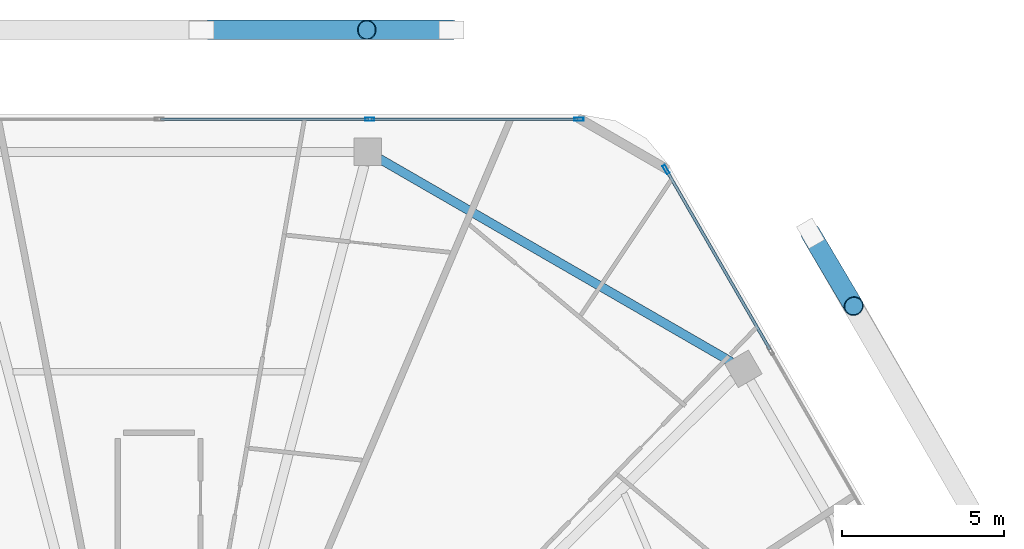
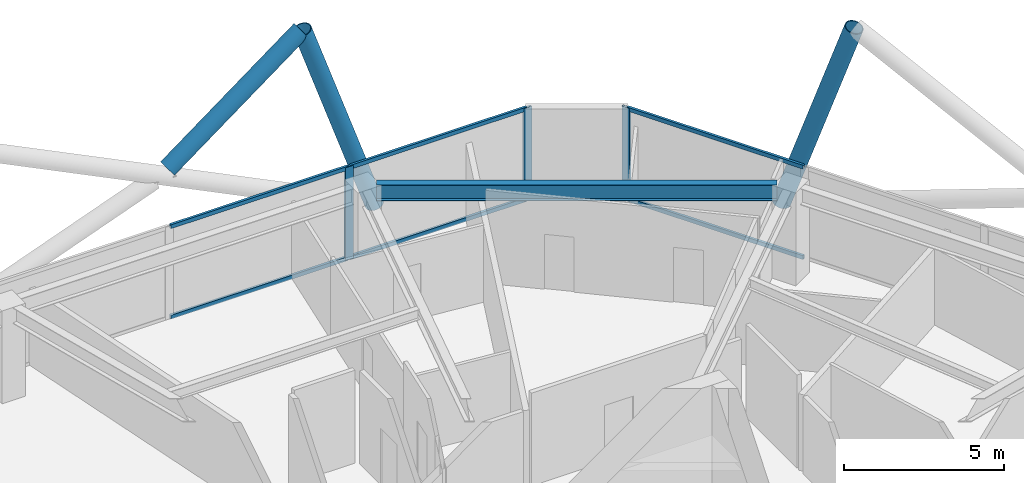
# One storey, part 18 of 29: 12 members, 1 beam, 2 elements without a shape of their own.
"""IFC4 building model written with IfcOpenShell, lengths in metres."""

import ifcopenshell
import ifcopenshell.guid

model = None  # the IFC model being written
_history = None  # IfcOwnerHistory: only IFC2X3 demands one
_inside = {}  # id of a spatial element -> (the spatial element, [elements in it])
_under = {}  # id of a project, library or spatial element -> (it, [spatial elements below it])
_declared = {}  # id of a project -> (the project, [libraries it declares])
_typed = {}  # id of a type object -> (the type object, [elements of that type])
_made_of = {}  # id of a material, layer set ... -> (it, [elements and type objects made of it])


def new_model(schema):
    """Start an empty IFC model of exactly this schema.

    Asked for "IFC4X3", IfcOpenShell would pick the latest addendum, in which some entities
    have other attributes; the version numbers below select the first issue.
    IFC2X3 requires an IfcOwnerHistory on every rooted entity: one is made here for all.
    """
    global model, _history
    if schema == "IFC4X3":
        model = ifcopenshell.file(schema_version=(4, 3, 0, 0))
    else:
        model = ifcopenshell.file(schema=schema)
    _inside.clear()
    _under.clear()
    _declared.clear()
    _typed.clear()
    _made_of.clear()
    _history = None
    if model.schema == "IFC2X3":
        org = make("IfcOrganization", Name="unknown")
        user = make(
            "IfcPersonAndOrganization",
            ThePerson=make("IfcPerson", FamilyName="unknown"),
            TheOrganization=org,
        )
        app = make(
            "IfcApplication",
            ApplicationDeveloper=org,
            Version="unknown",
            ApplicationFullName="unknown",
            ApplicationIdentifier="unknown",
        )
        _history = make(
            "IfcOwnerHistory",
            OwningUser=user,
            OwningApplication=app,
            ChangeAction="ADDED",
            CreationDate=0,
        )
    return model


def make(cls, **values):
    """One entity of the class cls with the attributes given. An attribute that is None is left unset."""
    return model.create_entity(
        cls, **{name: value for name, value in values.items() if value is not None}
    )


def rooted(cls, **values):
    """An entity with a GlobalId (a new one), such as an element, a storey or a relation."""
    return make(cls, GlobalId=ifcopenshell.guid.new(), OwnerHistory=_history, **values)


def si_unit(unit_type, name, prefix=None):
    """IfcSIUnit, for example si_unit("LENGTHUNIT", "METRE", prefix="MILLI")."""
    return make("IfcSIUnit", UnitType=unit_type, Prefix=prefix, Name=name)


def assignment(units):
    """IfcUnitAssignment: the units of a project."""
    return None if units is None else make("IfcUnitAssignment", Units=units)


def point(xyz):
    """IfcCartesianPoint."""
    return None if xyz is None else make("IfcCartesianPoint", Coordinates=xyz)


def direction(xyz):
    """IfcDirection."""
    return None if xyz is None else make("IfcDirection", DirectionRatios=xyz)


def frame(location, z_axis=None, x_axis=None):
    """IfcAxis2Placement3D, a coordinate frame: its origin and axes. An axis left out is left unset."""
    return make(
        "IfcAxis2Placement3D",
        Location=point(location),
        Axis=direction(z_axis),
        RefDirection=direction(x_axis),
    )


def frame_2d(location, x_axis=None):
    """IfcAxis2Placement2D, a coordinate frame in the plane: its origin and x axis."""
    return make(
        "IfcAxis2Placement2D", Location=point(location), RefDirection=direction(x_axis)
    )


def origin():
    """The frame at (0, 0, 0) with its axes left unset."""
    return frame((0.0, 0.0, 0.0))


def origin_2d():
    """The frame at (0, 0) in the plane with its x axis left unset."""
    return frame_2d((0.0, 0.0))


def place(relative_to, where):
    """IfcLocalPlacement: puts the frame where relative to a parent placement (None: the world)."""
    return make(
        "IfcLocalPlacement", PlacementRelTo=relative_to, RelativePlacement=where
    )


def context(
    kind, dimensions, precision=None, world=None, true_north=None, identifier=None
):
    """IfcGeometricRepresentationContext, for example the 3D "Model" context."""
    return make(
        "IfcGeometricRepresentationContext",
        ContextIdentifier=identifier,
        ContextType=kind,
        CoordinateSpaceDimension=dimensions,
        Precision=precision,
        WorldCoordinateSystem=world,
        TrueNorth=true_north,
    )


def subcontext(parent, identifier, kind, view, scale=None):
    """IfcGeometricRepresentationSubContext, for example "Body" below "Model"."""
    return make(
        "IfcGeometricRepresentationSubContext",
        ContextIdentifier=identifier,
        ContextType=kind,
        ParentContext=parent,
        TargetScale=scale,
        TargetView=view,
    )


def project(units=None, contexts=None):
    """IfcProject with its units and contexts."""
    return rooted(
        "IfcProject",
        Name="project",
        RepresentationContexts=contexts,
        UnitsInContext=assignment(units),
    )


def spatial(cls, under=None, at=None, **own):
    """A site, building, storey or space (cls), placed at a placement, below another one or the project."""
    s = rooted(cls, ObjectPlacement=at, **own)
    if under is not None:
        _under.setdefault(under.id(), (under, []))[1].append(s)
    return s


def profile(cls, at=None, kind="AREA", **sizes):
    """A parametric profile (cls). Its sizes go by their IFC names, for example OverallWidth=200.0."""
    return make(cls, ProfileType=kind, Position=at, **sizes)


def hollow_rectangle(**sizes):
    """IfcRectangleHollowProfileDef."""
    return profile("IfcRectangleHollowProfileDef", **sizes)


def hollow_circle(**sizes):
    """IfcCircleHollowProfileDef."""
    return profile("IfcCircleHollowProfileDef", **sizes)


def i_section(**sizes):
    """IfcIShapeProfileDef."""
    return profile("IfcIShapeProfileDef", **sizes)


def extrude(swept, where, along, depth):
    """IfcExtrudedAreaSolid: the profile swept, set in the frame where, extruded along a direction by depth."""
    return make(
        "IfcExtrudedAreaSolid",
        SweptArea=swept,
        Position=where,
        ExtrudedDirection=direction(along),
        Depth=depth,
    )


def shape(context_of_items, identifier, shape_type, items):
    """IfcShapeRepresentation: the items that make up one representation, for example the "Body"."""
    return make(
        "IfcShapeRepresentation",
        ContextOfItems=context_of_items,
        RepresentationIdentifier=identifier,
        RepresentationType=shape_type,
        Items=items,
    )


def material(Name=None, Category=None):
    """IfcMaterial."""
    return make("IfcMaterial", Name=Name, Category=Category)


def material_profile(
    of_material, cross_section, Name=None, Category=None, Priority=None
):
    """IfcMaterialProfile: a cross section and its material."""
    return make(
        "IfcMaterialProfile",
        Name=Name,
        Material=of_material,
        Profile=cross_section,
        Priority=Priority,
        Category=Category,
    )


def profile_set(profiles, Name=None, composite=None):
    """IfcMaterialProfileSet."""
    return make(
        "IfcMaterialProfileSet",
        Name=Name,
        MaterialProfiles=profiles,
        CompositeProfile=composite,
    )


def made_of(thing, what):
    """Note that an element or type object is made of a material, layer set ...; save() writes the relation."""
    if what is not None:
        _made_of.setdefault(what.id(), (what, []))[1].append(thing)
    return thing


def type_object(cls, material=None, **own):
    """A type object (cls), such as IfcWallType, which elements share."""
    return made_of(rooted(cls, **own), material)


def element(
    cls,
    number,
    at=None,
    inside=None,
    cuts=None,
    type_object=None,
    material=None,
    context=None,
    identifier="Body",
    shape_type=None,
    held_by="IfcProductDefinitionShape",
    body=None,
    shapes=None,
    **own,
):
    """One element of the class cls, such as IfcWall. Its Tag is "e" and its number.

    at: its placement. inside: the storey or other place that contains it. cuts: it is an
    opening in that element (IfcRelVoidsElement). A single representation is given by context,
    identifier, shape_type and body (its items); several are given by shapes. held_by: the class
    of the entity that holds the representations. save() writes the other relations.
    """
    e = rooted(cls, Tag="e%d" % number, ObjectPlacement=at, **own)
    if body is not None:
        shapes = [shape(context, identifier, shape_type, body)]
    if shapes is not None:
        e.Representation = make(held_by, Representations=shapes)
    if inside is not None:
        _inside.setdefault(inside.id(), (inside, []))[1].append(e)
    if cuts is not None:
        rooted(
            "IfcRelVoidsElement", RelatingBuildingElement=cuts, RelatedOpeningElement=e
        )
    if type_object is not None:
        _typed.setdefault(type_object.id(), (type_object, []))[1].append(e)
    return made_of(e, material)


def aggregate(whole, parts):
    """IfcRelAggregates: a whole, such as a stair, and the parts it consists of."""
    return rooted("IfcRelAggregates", RelatingObject=whole, RelatedObjects=parts)


def save(model, path):
    """Write the relations noted so far, then the file.

    IfcRelAggregates (storeys below a building ...), IfcRelContainedInSpatialStructure (elements
    in a storey), IfcRelDefinesByType, IfcRelAssociatesMaterial and IfcRelDeclares: one each for
    every whole, place, type object, material and project.
    """
    for whole, parts in _under.values():
        aggregate(whole, parts)
    for where, things in _inside.values():
        rooted(
            "IfcRelContainedInSpatialStructure",
            RelatedElements=things,
            RelatingStructure=where,
        )
    for kind, things in _typed.values():
        rooted("IfcRelDefinesByType", RelatedObjects=things, RelatingType=kind)
    for what, things in _made_of.values():
        rooted("IfcRelAssociatesMaterial", RelatedObjects=things, RelatingMaterial=what)
    for by, libraries in _declared.values():
        rooted("IfcRelDeclares", RelatingContext=by, RelatedDefinitions=libraries)
    model.write(path)


model = new_model("IFC4")

# Units and contexts
model_context = context("Model", 3, precision=1e-05, world=origin(), true_north=direction((0.0, 1.0)))
body_context = subcontext(model_context, "Body", "Model", "MODEL_VIEW")
ifc_project = project(units=[si_unit("LENGTHUNIT", "METRE"), si_unit("AREAUNIT", "SQUARE_METRE"), si_unit("VOLUMEUNIT", "CUBIC_METRE"), si_unit("PLANEANGLEUNIT", "RADIAN"), si_unit("MASSUNIT", "GRAM", prefix="KILO")], contexts=[model_context])

# Site, building, storey
site_placement = place(None, origin())
site = spatial("IfcSite", under=ifc_project, at=site_placement, CompositionType="ELEMENT")
building_placement = place(site_placement, origin())
building = spatial("IfcBuilding", under=site, at=building_placement, Name="Zuhravey Tower", CompositionType="ELEMENT")
storey_placement = place(building_placement, frame((0.0, 0.0, 292.0)))
storey = spatial("IfcBuildingStorey", under=building, at=storey_placement, Name="L74", CompositionType="ELEMENT", Elevation=292.0)

# Curtain wall, members
ifc_material_1 = material(Name="Thermally broken anodised aluminium", Category="aluminium")
curtain_wall_type = type_object("IfcCurtainWallType", Name="Zone 3-4 High-Rise Curtain Wall CW4", PredefinedType="NOTDEFINED", material=ifc_material_1)
curtain_wall_1_placement = place(storey_placement, origin())
curtain_wall_1 = element("IfcCurtainWall", 1, at=curtain_wall_1_placement, inside=storey, type_object=curtain_wall_type, Name="L74 CW4 CW-L74-F2-1", PredefinedType="NOTDEFINED")
ifc_material_2 = material(Name="Anodised aluminium", Category="aluminium")
ifc_material_profile_1 = material_profile(ifc_material_2, hollow_rectangle(XDim=0.090087890625, YDim=0.284912109375, WallThickness=0.0048828125, at=origin_2d()), Name="ALU-RHS-90x285x5")
ifc_profile_set_1 = profile_set([ifc_material_profile_1], Name="Anodised aluminium")
member_type_1 = type_object("IfcMemberType", Name="Curtain-Wall Mullion 90x180", PredefinedType="MULLION", material=ifc_profile_set_1)
member_1_placement = place(storey_placement, frame((42.50634765625, 57.563720703125, 0.0), z_axis=(0.0, 0.0, 1.0), x_axis=(0.0, 1.0, 0.0)))
member_1 = element("IfcMember", 2, at=member_1_placement, type_object=member_type_1, Name="CW4 mullion 4", PredefinedType="MULLION", context=body_context, shape_type="SweptSolid", body=[
    extrude(hollow_rectangle(XDim=0.090087890625, YDim=0.284912109375, WallThickness=0.0048828125, at=origin_2d()), origin(), (0.0, 0.0, 1.0), 3.550048828125),
])
member_2_placement = place(storey_placement, frame((48.9677734375, 57.563720703125, 0.0), z_axis=(0.0, 0.0, 1.0), x_axis=(0.0, 1.0, 0.0)))
member_2 = element("IfcMember", 3, at=member_2_placement, type_object=member_type_1, Name="CW4 mullion 5", PredefinedType="MULLION", context=body_context, shape_type="SweptSolid", body=[
    extrude(hollow_rectangle(XDim=0.090087890625, YDim=0.284912109375, WallThickness=0.0048828125, at=origin_2d()), origin(), (0.0, 0.0, 1.0), 3.550048828125),
])

# Curtain wall, member
curtain_wall_2_placement = place(storey_placement, origin())
curtain_wall_2 = element("IfcCurtainWall", 4, at=curtain_wall_2_placement, inside=storey, type_object=curtain_wall_type, Name="L74 CW4 CW-L74-F1-1", PredefinedType="NOTDEFINED")
member_3_placement = place(storey_placement, frame((51.65478515625, 56.01220703125, 0.0), z_axis=(0.0, 0.0, 1.0), x_axis=(0.866024851021, 0.500000957414, 0.0)))
member_3 = element("IfcMember", 5, at=member_3_placement, type_object=member_type_1, Name="CW4 mullion 1", PredefinedType="MULLION", context=body_context, shape_type="SweptSolid", body=[
    extrude(hollow_rectangle(XDim=0.090087890625, YDim=0.284912109375, WallThickness=0.0048828125, at=origin_2d()), origin(), (0.0, 0.0, 1.0), 3.550048828125),
])

# Member
ifc_material_profile_2 = material_profile(ifc_material_2, hollow_rectangle(XDim=0.090087890625, YDim=0.14990234375, WallThickness=0.0048828125, at=origin_2d()), Name="ALU-RHS-90x150x5")
ifc_profile_set_2 = profile_set([ifc_material_profile_2], Name="Anodised aluminium")
member_type_2 = type_object("IfcMemberType", Name="Curtain-Wall Transom 90x150", PredefinedType="USERDEFINED", material=ifc_profile_set_2)
member_4_placement = place(storey_placement, frame((36.044921875, 57.563720703125, 0.044921875), z_axis=(1.0, 0.0, 0.0), x_axis=(0.0, 1.0, 0.0)))
member_4 = element("IfcMember", 6, at=member_4_placement, type_object=member_type_2, Name="CW4 transom 3.1", ObjectType="TRANSOM", PredefinedType="USERDEFINED", context=body_context, shape_type="SweptSolid", body=[
    extrude(hollow_rectangle(XDim=0.090087890625, YDim=0.14990234375, WallThickness=0.0048828125, at=origin_2d()), origin(), (0.0, 0.0, 1.0), 6.41650390625),
])

member_5_placement = place(storey_placement, frame((36.044921875, 57.563720703125, 3.5048828125), z_axis=(1.0, 0.0, 0.0), x_axis=(0.0, 1.0, 0.0)))
member_5 = element("IfcMember", 7, at=member_5_placement, type_object=member_type_2, Name="CW4 transom 3.2", ObjectType="TRANSOM", PredefinedType="USERDEFINED", context=body_context, shape_type="SweptSolid", body=[
    extrude(hollow_rectangle(XDim=0.090087890625, YDim=0.14990234375, WallThickness=0.0048828125, at=origin_2d()), origin(), (0.0, 0.0, 1.0), 6.41650390625),
])

member_6_placement = place(storey_placement, frame((42.55126953125, 57.563720703125, 0.044921875), z_axis=(1.0, 0.0, 0.0), x_axis=(0.0, 1.0, 0.0)))
member_6 = element("IfcMember", 8, at=member_6_placement, type_object=member_type_2, Name="CW4 transom 4.1", ObjectType="TRANSOM", PredefinedType="USERDEFINED", context=body_context, shape_type="SweptSolid", body=[
    extrude(hollow_rectangle(XDim=0.090087890625, YDim=0.14990234375, WallThickness=0.0048828125, at=origin_2d()), origin(), (0.0, 0.0, 1.0), 6.371337890625),
])

member_7_placement = place(storey_placement, frame((42.55126953125, 57.563720703125, 3.5048828125), z_axis=(1.0, 0.0, 0.0), x_axis=(0.0, 1.0, 0.0)))
member_7 = element("IfcMember", 9, at=member_7_placement, type_object=member_type_2, Name="CW4 transom 4.2", ObjectType="TRANSOM", PredefinedType="USERDEFINED", context=body_context, shape_type="SweptSolid", body=[
    extrude(hollow_rectangle(XDim=0.090087890625, YDim=0.14990234375, WallThickness=0.0048828125, at=origin_2d()), origin(), (0.0, 0.0, 1.0), 6.371337890625),
])

aggregate(curtain_wall_1, [member_1, member_2, member_4, member_5, member_6, member_7])

member_8_placement = place(storey_placement, frame((51.677490234375, 55.97314453125, 0.044921875), z_axis=(0.499980071345, -0.866036909293, 0.0), x_axis=(0.866036909293, 0.499980071345, 0.0)))
member_8 = element("IfcMember", 10, at=member_8_placement, type_object=member_type_2, Name="CW4 transom 1.1", ObjectType="TRANSOM", PredefinedType="USERDEFINED", context=body_context, shape_type="SweptSolid", body=[
    extrude(hollow_rectangle(XDim=0.090087890625, YDim=0.14990234375, WallThickness=0.0048828125, at=origin_2d()), origin(), (0.0, 0.0, 1.0), 6.371337890625),
])

member_9_placement = place(storey_placement, frame((51.677490234375, 55.97314453125, 3.5048828125), z_axis=(0.499980071345, -0.866036909293, 0.0), x_axis=(0.866036909293, 0.499980071345, 0.0)))
member_9 = element("IfcMember", 11, at=member_9_placement, type_object=member_type_2, Name="CW4 transom 1.2", ObjectType="TRANSOM", PredefinedType="USERDEFINED", context=body_context, shape_type="SweptSolid", body=[
    extrude(hollow_rectangle(XDim=0.090087890625, YDim=0.14990234375, WallThickness=0.0048828125, at=origin_2d()), origin(), (0.0, 0.0, 1.0), 6.371337890625),
])

aggregate(curtain_wall_2, [member_3, member_8, member_9])

# Members
ifc_material_3 = material(Name="Steel SM355", Category="steel")
ifc_material_profile_3 = material_profile(ifc_material_3, hollow_circle(Radius=0.3046875, WallThickness=0.028076171875, at=origin_2d()), Name="CHS-609.6x28")
ifc_profile_set_3 = profile_set([ifc_material_profile_3], Name="Steel SM355")
member_type_3 = type_object("IfcMemberType", Name="Exoskeleton Zone 3 Diagrid CHS610x28", PredefinedType="BRACE", material=ifc_profile_set_3)
for number, where, z_axis, x_axis, name in (
    (12, (56.12158203125, 54.03564453125, -0.446044921875), (0.166263547493, -0.280502989926, 0.945343591197), (0.860238328743, 0.509892162876, 0.0), "L74 Face 1 Diagrid Brace 4"),
    (13, (45.022705078125, 60.323486328125, -0.446044921875), (-0.326060268586, 0.0, 0.945348983841), (0.0, -1.0, 0.0), "L74 Face 2 Diagrid Brace 1"),
):
    element("IfcMember", number, at=place(storey_placement, frame(where, z_axis=z_axis, x_axis=x_axis)), inside=storey, type_object=member_type_3, Name=name, PredefinedType="BRACE", context=body_context, shape_type="SweptSolid", body=[
        extrude(hollow_circle(Radius=0.3046875, WallThickness=0.028076171875, at=origin_2d()), origin(), (0.0, 0.0, 1.0), 8.001220703125),
    ])
member_10_placement = place(storey_placement, frame((37.547119140625, 60.323486328125, 3.51220703125), z_axis=(0.801714073603, 0.0, 0.597707741448), x_axis=(0.0, 1.0, 0.0)))
element("IfcMember", 14, at=member_10_placement, inside=storey, type_object=member_type_3, Name="L74 Face 2 Split Diagrid Brace 3B", PredefinedType="BRACE", context=body_context, shape_type="SweptSolid", body=[
    extrude(hollow_circle(Radius=0.3046875, WallThickness=0.028076171875, at=origin_2d()), origin(), (0.0, 0.0, 1.0), 6.02197265625),
])

# Beam
ifc_material_profile_4 = material_profile(ifc_material_3, i_section(OverallWidth=0.280029296875, OverallDepth=0.6201171875, WebThickness=0.011962890625, FlangeThickness=0.02001953125, at=origin_2d()), Name="H-620x280x12x20")
ifc_profile_set_4 = profile_set([ifc_material_profile_4], Name="Steel SM355")
beam_type = type_object("IfcBeamType", Name="Perimeter Ring Beam H620x280", PredefinedType="BEAM", material=ifc_profile_set_4)
beam_placement = place(storey_placement, frame((53.6728515625, 50.068603515625, 3.239990234375), z_axis=(-0.866018312875, 0.500012281615, 0.0), x_axis=(-0.500012281615, -0.866018312875, 0.0)))
element("IfcBeam", 15, at=beam_placement, inside=storey, type_object=beam_type, Name="L74 PB3 BM-L74-PB-02", PredefinedType="BEAM", context=body_context, shape_type="SweptSolid", body=[
    extrude(i_section(OverallWidth=0.280029296875, OverallDepth=0.6201171875, WebThickness=0.011962890625, FlangeThickness=0.02001953125, at=origin_2d()), origin(), (0.0, 0.0, 1.0), 12.541748046875),
])

save(model, "model.ifc")
